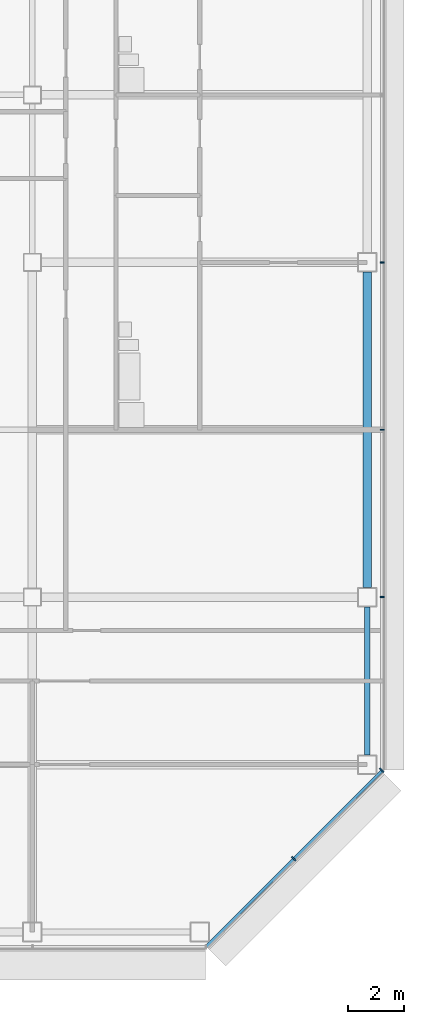
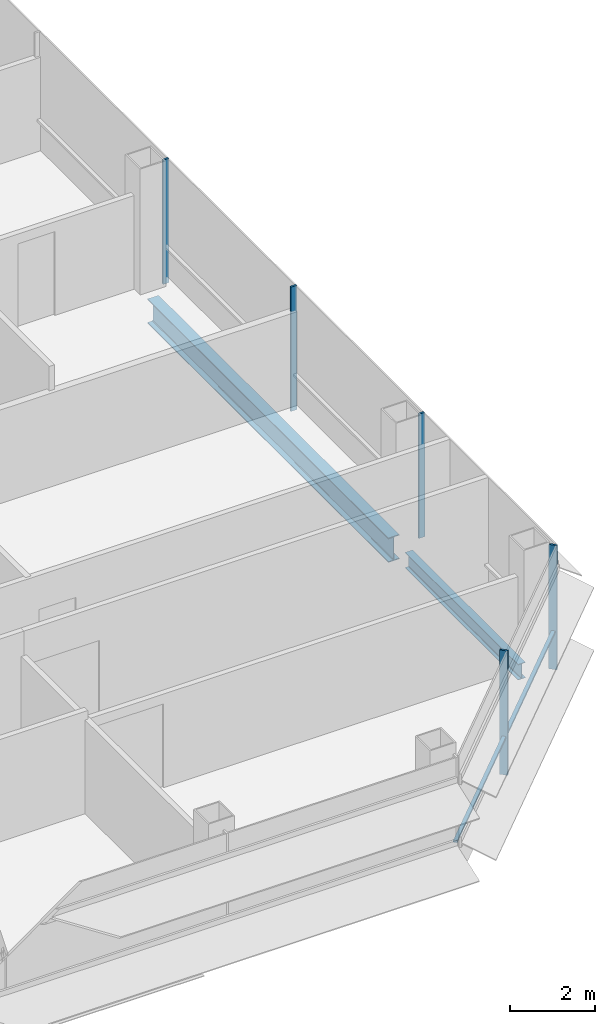
# One storey, part 15 of 26: 6 members, 2 beams, 2 elements without a shape of their own.
"""IFC4 building model written with IfcOpenShell, lengths in metres."""

from ifc_helpers import new_model, si_unit, direction, frame, origin, origin_2d, place, context, subcontext, project, spatial, rectangle, i_section, extrude, material, material_profile, profile_set, type_object, element, aggregate, save


model = new_model("IFC4")

# Units and contexts
model_context = context("Model", 3, precision=1e-05, world=origin(), true_north=direction((0.0, 1.0)))
body_context = subcontext(model_context, "Body", "Model", "MODEL_VIEW")
ifc_project = project(units=[si_unit("LENGTHUNIT", "METRE"), si_unit("AREAUNIT", "SQUARE_METRE"), si_unit("VOLUMEUNIT", "CUBIC_METRE"), si_unit("PLANEANGLEUNIT", "RADIAN"), si_unit("MASSUNIT", "GRAM", prefix="KILO")], contexts=[model_context])

# Site, building, storey
site_placement = place(None, origin())
site = spatial("IfcSite", under=ifc_project, at=site_placement, CompositionType="ELEMENT")
building_placement = place(site_placement, origin())
building = spatial("IfcBuilding", under=site, at=building_placement, Name="Sorahane Residences", CompositionType="ELEMENT")
storey_placement = place(building_placement, frame((0.0, 0.0, 158.199951171875)))
storey = spatial("IfcBuildingStorey", under=building, at=storey_placement, Name="L36", CompositionType="ELEMENT", Elevation=158.199951171875)

# Curtain wall, members
ifc_material_1 = material(Name="Dark low-e glass and black anodised aluminium", Category="aluminium")
curtain_wall_type_1 = type_object("IfcCurtainWallType", Name="Curtain wall CW-1 Typical unitised wall", PredefinedType="NOTDEFINED", material=ifc_material_1)
curtain_wall_1_placement = place(storey_placement, origin())
curtain_wall_1 = element("IfcCurtainWall", 1, at=curtain_wall_1_placement, inside=storey, type_object=curtain_wall_type_1, Name="CW-1 curtain wall L36 E1", PredefinedType="NOTDEFINED")
ifc_material_2 = material(Name="Black anodised aluminium", Category="aluminium")
ifc_material_profile_1 = material_profile(ifc_material_2, rectangle(XDim=0.159912109375, YDim=0.050048828125, at=origin_2d()), Name="Curtain wall mullion CW-1 black anodised aluminium 50x160")
ifc_profile_set_1 = profile_set([ifc_material_profile_1], Name="Black anodised aluminium")
member_type_1 = type_object("IfcMemberType", Name="Curtain wall mullion CW-1 black anodised aluminium 50x160", PredefinedType="MULLION", material=ifc_profile_set_1)
member_1_placement = place(storey_placement, frame((60.5400390625, 12.0, -0.179931640625), z_axis=(0.0, 0.0, 1.0), x_axis=(1.0, 0.0, 0.0)))
member_1 = element("IfcMember", 2, at=member_1_placement, type_object=member_type_1, Name="CW-1 mullion L36 E1.2", PredefinedType="MULLION", context=body_context, shape_type="SweptSolid", body=[
    extrude(rectangle(XDim=0.159912109375, YDim=0.050048828125, at=origin_2d()), origin(), (0.0, 0.0, 1.0), 3.56005859375),
])
member_2_placement = place(storey_placement, frame((60.5400390625, 18.0, -0.179931640625), z_axis=(0.0, 0.0, 1.0), x_axis=(1.0, 0.0, 0.0)))
member_2 = element("IfcMember", 3, at=member_2_placement, type_object=member_type_1, Name="CW-1 mullion L36 E1.3", PredefinedType="MULLION", context=body_context, shape_type="SweptSolid", body=[
    extrude(rectangle(XDim=0.159912109375, YDim=0.050048828125, at=origin_2d()), origin(), (0.0, 0.0, 1.0), 3.56005859375),
])
member_3_placement = place(storey_placement, frame((60.5400390625, 24.0, -0.179931640625), z_axis=(0.0, 0.0, 1.0), x_axis=(1.0, 0.0, 0.0)))
member_3 = element("IfcMember", 4, at=member_3_placement, type_object=member_type_1, Name="CW-1 mullion L36 E1.4", PredefinedType="MULLION", context=body_context, shape_type="SweptSolid", body=[
    extrude(rectangle(XDim=0.159912109375, YDim=0.050048828125, at=origin_2d()), origin(), (0.0, 0.0, 1.0), 3.56005859375),
])
aggregate(curtain_wall_1, [member_1, member_2, member_3])

ifc_material_3 = material(Name="Dark low-e glass and black anodised aluminium", Category="aluminium")
curtain_wall_type_2 = type_object("IfcCurtainWallType", Name="Curtain wall CW-2 Chamfer unitised wall", PredefinedType="NOTDEFINED", material=ifc_material_3)
curtain_wall_2_placement = place(storey_placement, origin())
curtain_wall_2 = element("IfcCurtainWall", 5, at=curtain_wall_2_placement, inside=storey, type_object=curtain_wall_type_2, Name="CW-2 curtain wall L36 SE1", PredefinedType="NOTDEFINED")
ifc_material_4 = material(Name="Black anodised aluminium", Category="aluminium")
ifc_material_profile_2 = material_profile(ifc_material_4, rectangle(XDim=0.199951171875, YDim=0.050048828125, at=origin_2d()), Name="Curtain wall mullion CW-2 black anodised aluminium 50x200")
ifc_profile_set_2 = profile_set([ifc_material_profile_2], Name="Black anodised aluminium")
member_type_2 = type_object("IfcMemberType", Name="Curtain wall mullion CW-2 black anodised aluminium 50x200", PredefinedType="MULLION", material=ifc_profile_set_2)
member_4_placement = place(storey_placement, frame((57.36767578125, 2.63232421875, -0.179931640625), z_axis=(0.0, 0.0, 1.0), x_axis=(0.707106781187, -0.707106781187, 0.0)))
member_4 = element("IfcMember", 6, at=member_4_placement, type_object=member_type_2, Name="CW-2 mullion L36 SE1.2", PredefinedType="MULLION", context=body_context, shape_type="SweptSolid", body=[
    extrude(rectangle(XDim=0.199951171875, YDim=0.050048828125, at=origin_2d()), origin(), (0.0, 0.0, 1.0), 3.56005859375),
])
member_5_placement = place(storey_placement, frame((60.525634765625, 5.790283203125, -0.179931640625), z_axis=(0.0, 0.0, 1.0), x_axis=(0.707106781187, -0.707106781187, 0.0)))
member_5 = element("IfcMember", 7, at=member_5_placement, type_object=member_type_2, Name="CW-2 mullion L36 SE1.3", PredefinedType="MULLION", context=body_context, shape_type="SweptSolid", body=[
    extrude(rectangle(XDim=0.199951171875, YDim=0.050048828125, at=origin_2d()), origin(), (0.0, 0.0, 1.0), 3.56005859375),
])
ifc_material_5 = material(Name="Black anodised aluminium", Category="aluminium")
ifc_material_profile_3 = material_profile(ifc_material_5, rectangle(XDim=0.10009765625, YDim=0.06005859375, at=origin_2d()), Name="Curtain wall transom CW-2 black anodised aluminium 60x100")
ifc_profile_set_3 = profile_set([ifc_material_profile_3], Name="Black anodised aluminium")
member_type_3 = type_object("IfcMemberType", Name="Curtain wall transom CW-2 black anodised aluminium 60x100", PredefinedType="USERDEFINED", material=ifc_profile_set_3)
member_6_placement = place(storey_placement, frame((54.234375, -0.51513671875, 0.900146484375), z_axis=(0.707106781187, 0.707106781187, 0.0), x_axis=(-0.707106781187, 0.707106781187, 0.0)))
member_6 = element("IfcMember", 8, at=member_6_placement, type_object=member_type_3, Name="CW-2 transom L36 SE1", ObjectType="TRANSOM", PredefinedType="USERDEFINED", context=body_context, shape_type="SweptSolid", body=[
    extrude(rectangle(XDim=0.10009765625, YDim=0.06005859375, at=origin_2d()), origin(), (0.0, 0.0, 1.0), 8.88232421875),
])
aggregate(curtain_wall_2, [member_4, member_5, member_6])

# Beams
ifc_material_6 = material(Name="Steel Q355B", Category="steel")
ifc_material_profile_4 = material_profile(ifc_material_6, i_section(OverallWidth=0.199951171875, OverallDepth=0.449951171875, WebThickness=0.009033203125, FlangeThickness=0.013916015625, FilletRadius=0.02001953125, at=origin_2d()), Name="HN 450x200x9x14")
ifc_profile_set_4 = profile_set([ifc_material_profile_4], Name="Steel Q355B")
beam_type_1 = type_object("IfcBeamType", Name="Steel floor beam HN 450x200x9x14 Q355B", PredefinedType="BEAM", material=ifc_profile_set_4)
beam_1_placement = place(storey_placement, frame((60.0, 6.35009765625, -0.405029296875), z_axis=(0.0, 1.0, 0.0), x_axis=(-1.0, 0.0, 0.0)))
element("IfcBeam", 9, at=beam_1_placement, inside=storey, type_object=beam_type_1, Name="Beam L36 064", PredefinedType="BEAM", context=body_context, shape_type="SweptSolid", body=[
    extrude(i_section(OverallWidth=0.199951171875, OverallDepth=0.449951171875, WebThickness=0.009033203125, FlangeThickness=0.013916015625, FilletRadius=0.02001953125, at=origin_2d()), origin(), (0.0, 0.0, 1.0), 5.2998046875),
])
ifc_material_7 = material(Name="Steel Q355B", Category="steel")
ifc_material_profile_5 = material_profile(ifc_material_7, i_section(OverallWidth=0.300048828125, OverallDepth=0.699951171875, WebThickness=0.012939453125, FlangeThickness=0.02392578125, FilletRadius=0.028076171875, at=origin_2d()), Name="HN 700x300x13x24")
ifc_profile_set_5 = profile_set([ifc_material_profile_5], Name="Steel Q355B")
beam_type_2 = type_object("IfcBeamType", Name="Steel floor beam HN 700x300x13x24 Q355B", PredefinedType="BEAM", material=ifc_profile_set_5)
beam_2_placement = place(storey_placement, frame((60.0, 12.35009765625, -0.530029296875), z_axis=(0.0, 1.0, 0.0), x_axis=(-1.0, 0.0, 0.0)))
element("IfcBeam", 10, at=beam_2_placement, inside=storey, type_object=beam_type_2, Name="Beam L36 065", PredefinedType="BEAM", context=body_context, shape_type="SweptSolid", body=[
    extrude(i_section(OverallWidth=0.300048828125, OverallDepth=0.699951171875, WebThickness=0.012939453125, FlangeThickness=0.02392578125, FilletRadius=0.028076171875, at=origin_2d()), origin(), (0.0, 0.0, 1.0), 11.2998046875),
])

save(model, "model.ifc")
